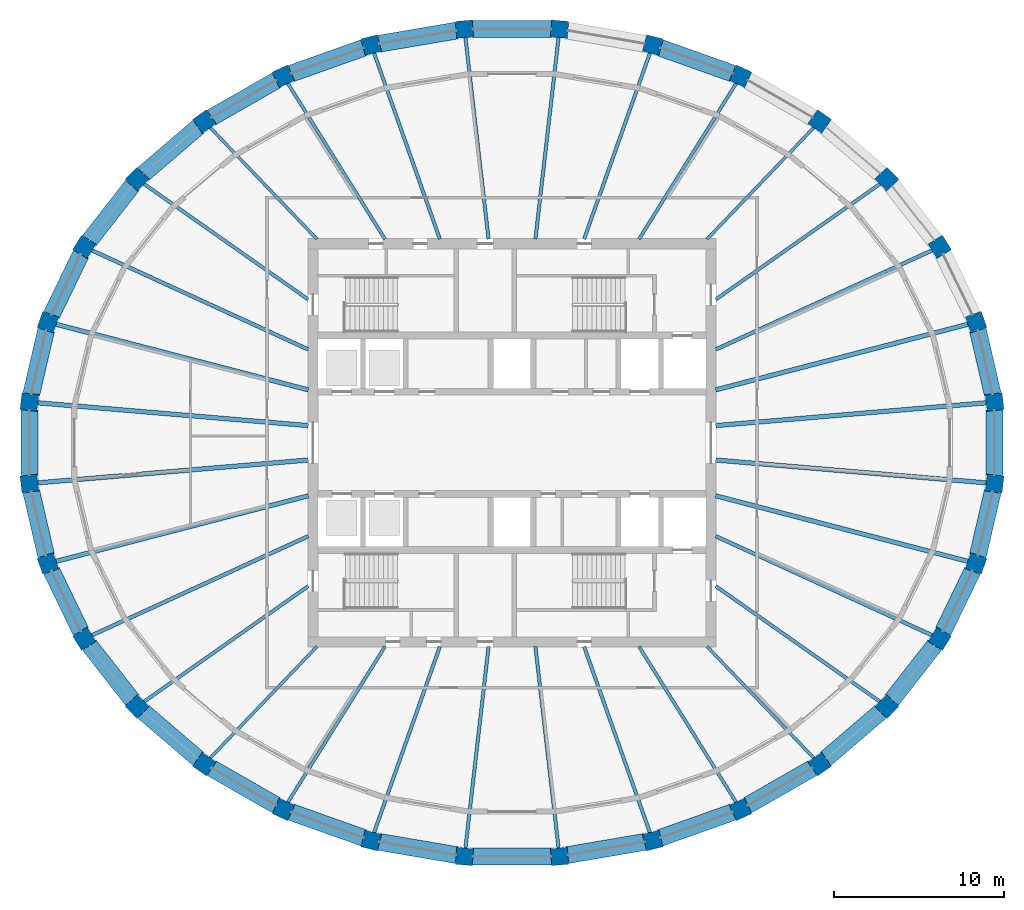
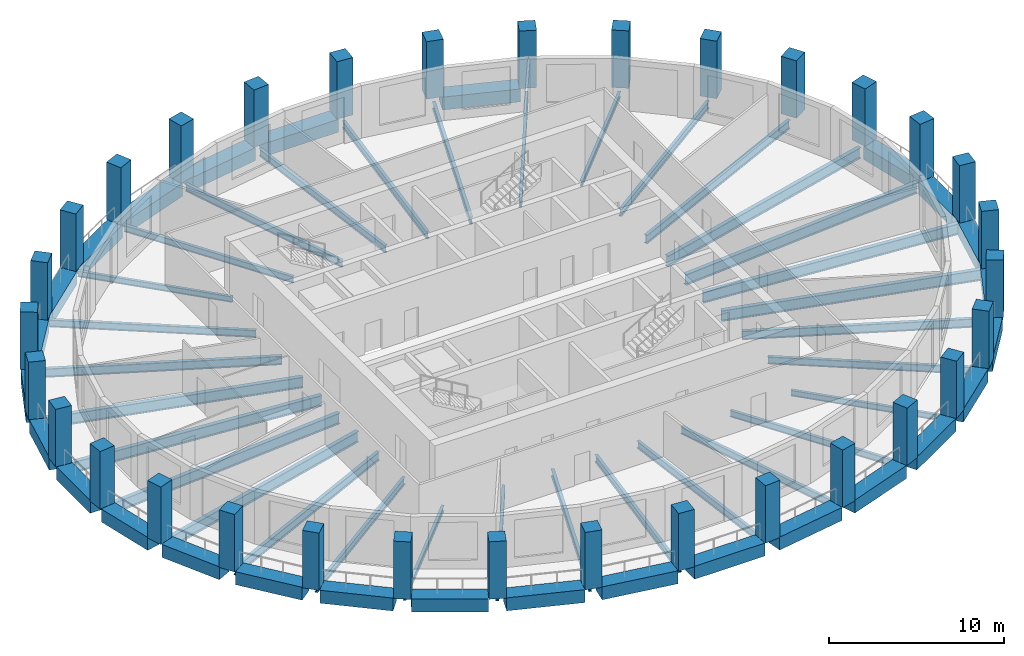
# One storey, part 1 of 10: 59 beams, 32 columns.
"""IFC4 building model written with IfcOpenShell, lengths in metres."""

from ifc_helpers import new_model, si_unit, direction, frame, origin, origin_2d, place, context, subcontext, project, spatial, rectangle, i_section, extrude, material, material_profile, profile_set, type_object, element, save


model = new_model("IFC4")

# Units and contexts
model_context = context("Model", 3, precision=1e-05, world=origin(), true_north=direction((0.0, 1.0)))
body_context = subcontext(model_context, "Body", "Model", "MODEL_VIEW")
ifc_project = project(units=[si_unit("LENGTHUNIT", "METRE"), si_unit("AREAUNIT", "SQUARE_METRE"), si_unit("VOLUMEUNIT", "CUBIC_METRE"), si_unit("PLANEANGLEUNIT", "RADIAN"), si_unit("MASSUNIT", "GRAM", prefix="KILO")], contexts=[model_context])

# Site, building, storey
site_placement = place(None, origin())
site = spatial("IfcSite", under=ifc_project, at=site_placement, CompositionType="ELEMENT")
building_placement = place(site_placement, origin())
building = spatial("IfcBuilding", under=site, at=building_placement, Name="Halqa Exchange Tower", CompositionType="ELEMENT")
storey_placement = place(building_placement, frame((0.0, 0.0, 324.300048828125)))
storey = spatial("IfcBuildingStorey", under=building, at=storey_placement, Name="L76", CompositionType="ELEMENT", Elevation=324.300048828125)

# Columns
ifc_material_1 = material(Name="Concrete C50/60", Category="concrete")
ifc_material_profile_1 = material_profile(ifc_material_1, rectangle(XDim=1.0, YDim=1.0, at=origin_2d()), Name="1000 x 1000")
ifc_profile_set_1 = profile_set([ifc_material_profile_1], Name="Concrete C50/60")
column_type = type_object("IfcColumnType", Name="RC ring column 1000 x 1000 C50/60", PredefinedType="COLUMN", material=ifc_profile_set_1)
for number, where, z_axis, x_axis, name in (
    (1, (28.36279296875, 2.394287109375, 0.0), (0.0, 0.0, 1.0), (-0.114160389816, 0.993462332148, 0.0), "Ring column 1"),
    (2, (27.272705078125, 7.09130859375, 0.0), (0.0, 0.0, 1.0), (-0.333624233576, 0.942706142321, 0.0), "Ring column 2"),
    (3, (25.134765625, 11.515625, 0.0), (0.0, 0.0, 1.0), (-0.529140496257, 0.848534227489, 0.0), "Ring column 3"),
    (4, (22.03076171875, 15.497314453125, 0.0), (0.0, 0.0, 1.0), (-0.691578612608, 0.722301199351, 0.0), "Ring column 4"),
    (5, (18.080078125, 18.883544921875, 0.0), (0.0, 0.0, 1.0), (-0.817906779671, 0.575350762377, 0.0), "Ring column 5"),
    (6, (13.434814453125, 21.544189453125, 0.0), (0.0, 0.0, 1.0), (-0.909128549752, 0.416515641994, 0.0), "Ring column 6"),
    (7, (8.273193359375, 23.376708984375, 0.0), (0.0, 0.0, 1.0), (-0.967819064366, 0.251647091481, 0.0), "Ring column 7"),
    (8, (2.79345703125, 24.31103515625, 0.0), (0.0, 0.0, 1.0), (-0.996455078514, 0.084126550533, 0.0), "Ring column 8"),
    (9, (-2.79345703125, 24.31103515625, 0.0), (0.0, 0.0, 1.0), (-0.996455078514, -0.084126550533, 0.0), "Ring column 9"),
    (10, (-8.273193359375, 23.376708984375, 0.0), (0.0, 0.0, 1.0), (-0.967819064366, -0.251647091481, 0.0), "Ring column 10"),
    (11, (-13.434814453125, 21.544189453125, 0.0), (0.0, 0.0, 1.0), (-0.909128549752, -0.416515641994, 0.0), "Ring column 11"),
    (12, (-18.080078125, 18.883544921875, 0.0), (0.0, 0.0, 1.0), (-0.817906779671, -0.575350762377, 0.0), "Ring column 12"),
    (13, (-22.03076171875, 15.497314453125, 0.0), (0.0, 0.0, 1.0), (-0.691578612608, -0.722301199351, 0.0), "Ring column 13"),
    (14, (-25.134765625, 11.515625, 0.0), (0.0, 0.0, 1.0), (-0.529140496257, -0.848534227489, 0.0), "Ring column 14"),
    (15, (-27.272705078125, 7.09130859375, 0.0), (0.0, 0.0, 1.0), (-0.333624233576, -0.942706142321, 0.0), "Ring column 15"),
    (16, (-28.36279296875, 2.394287109375, 0.0), (0.0, 0.0, 1.0), (-0.114160389816, -0.993462332148, 0.0), "Ring column 16"),
    (17, (-28.36279296875, -2.394287109375, 0.0), (0.0, 0.0, 1.0), (0.114160389816, -0.993462332148, 0.0), "Ring column 17"),
    (18, (-27.272705078125, -7.09130859375, 0.0), (0.0, 0.0, 1.0), (0.333624233576, -0.942706142321, 0.0), "Ring column 18"),
    (19, (-25.134765625, -11.515625, 0.0), (0.0, 0.0, 1.0), (0.529140496257, -0.848534227489, 0.0), "Ring column 19"),
    (20, (-22.03076171875, -15.497314453125, 0.0), (0.0, 0.0, 1.0), (0.691578612608, -0.722301199351, 0.0), "Ring column 20"),
    (21, (-18.080078125, -18.883544921875, 0.0), (0.0, 0.0, 1.0), (0.817906779671, -0.575350762377, 0.0), "Ring column 21"),
    (22, (-13.434814453125, -21.544189453125, 0.0), (0.0, 0.0, 1.0), (0.909128549752, -0.416515641994, 0.0), "Ring column 22"),
    (23, (-8.273193359375, -23.376708984375, 0.0), (0.0, 0.0, 1.0), (0.967819064366, -0.251647091481, 0.0), "Ring column 23"),
    (24, (-2.79345703125, -24.31103515625, 0.0), (0.0, 0.0, 1.0), (0.996455078514, -0.084126550533, 0.0), "Ring column 24"),
    (25, (2.79345703125, -24.31103515625, 0.0), (0.0, 0.0, 1.0), (0.996455078514, 0.084126550533, 0.0), "Ring column 25"),
    (26, (8.273193359375, -23.376708984375, 0.0), (0.0, 0.0, 1.0), (0.967819064366, 0.251647091481, 0.0), "Ring column 26"),
    (27, (13.434814453125, -21.544189453125, 0.0), (0.0, 0.0, 1.0), (0.909128549752, 0.416515641994, 0.0), "Ring column 27"),
    (28, (18.080078125, -18.883544921875, 0.0), (0.0, 0.0, 1.0), (0.817906779671, 0.575350762377, 0.0), "Ring column 28"),
    (29, (22.03076171875, -15.497314453125, 0.0), (0.0, 0.0, 1.0), (0.691578612608, 0.722301199351, 0.0), "Ring column 29"),
    (30, (25.134765625, -11.515625, 0.0), (0.0, 0.0, 1.0), (0.529140496257, 0.848534227489, 0.0), "Ring column 30"),
    (31, (27.272705078125, -7.09130859375, 0.0), (0.0, 0.0, 1.0), (0.333624233576, 0.942706142321, 0.0), "Ring column 31"),
    (32, (28.36279296875, -2.394287109375, 0.0), (0.0, 0.0, 1.0), (0.114160389816, 0.993462332148, 0.0), "Ring column 32"),
):
    element("IfcColumn", number, at=place(storey_placement, frame(where, z_axis=z_axis, x_axis=x_axis)), inside=storey, type_object=column_type, Name=name, PredefinedType="COLUMN", context=body_context, shape_type="SweptSolid", body=[
        extrude(rectangle(XDim=1.0, YDim=1.0, at=origin_2d()), origin(), (0.0, 0.0, 1.0), 4.0),
    ])

# Beams
ifc_material_2 = material(Name="Steel S355", Category="steel")
ifc_material_profile_2 = material_profile(ifc_material_2, i_section(OverallWidth=0.179931640625, OverallDepth=0.39990234375, WebThickness=0.008544921875, FlangeThickness=0.013427734375, FilletRadius=0.02099609375, at=origin_2d()), Name="IPE 400")
ifc_profile_set_2 = profile_set([ifc_material_profile_2], Name="Steel S355")
beam_type_1 = type_object("IfcBeamType", Name="Floor beam IPE 400", PredefinedType="BEAM", material=ifc_profile_set_2)
for number, where, z_axis, x_axis, name in (
    (33, (11.46240234375, 11.9716796875, -0.5), (0.691577100122, 0.722302647501, 0.0), (-0.722302647501, 0.691577100122, 0.0), "Radial beam 5"),
    (34, (-11.46240234375, 11.9716796875, -0.5), (-0.691577100122, 0.722302647501, 0.0), (-0.722302647501, -0.691577100122, 0.0), "Radial beam 12"),
    (35, (-11.46240234375, -11.9716796875, -0.5), (-0.691577100122, -0.722302647501, 0.0), (0.722302647501, -0.691577100122, 0.0), "Radial beam 21"),
    (36, (11.46240234375, -11.9716796875, -0.5), (0.691577100122, -0.722302647501, 0.0), (0.722302647501, 0.691577100122, 0.0), "Radial beam 28"),
):
    element("IfcBeam", number, at=place(storey_placement, frame(where, z_axis=z_axis, x_axis=x_axis)), inside=storey, type_object=beam_type_1, Name=name, PredefinedType="BEAM", context=body_context, shape_type="SweptSolid", body=[
        extrude(i_section(OverallWidth=0.179931640625, OverallDepth=0.39990234375, WebThickness=0.008544921875, FlangeThickness=0.013427734375, FilletRadius=0.02099609375, at=origin_2d()), origin(), (0.0, 0.0, 1.0), 9.193359375),
    ])
ifc_material_profile_3 = material_profile(ifc_material_2, i_section(OverallWidth=0.18994140625, OverallDepth=0.449951171875, WebThickness=0.009521484375, FlangeThickness=0.0146484375, FilletRadius=0.02099609375, at=origin_2d()), Name="IPE 450")
ifc_profile_set_3 = profile_set([ifc_material_profile_3], Name="Steel S355")
beam_type_2 = type_object("IfcBeamType", Name="Floor beam IPE 450", PredefinedType="BEAM", material=ifc_profile_set_3)
for number, where, z_axis, x_axis, name in (
    (37, (7.46630859375, 11.972900390625, -0.525146484375), (0.529135242535, 0.848537503654, 0.0), (-0.848537503654, 0.529135242535, 0.0), "Radial beam 6"),
    (38, (-7.46630859375, 11.972900390625, -0.525146484375), (-0.529135242535, 0.848537503654, 0.0), (-0.848537503654, -0.529135242535, 0.0), "Radial beam 11"),
    (39, (-7.46630859375, -11.972900390625, -0.525146484375), (-0.529135242535, -0.848537503654, 0.0), (0.848537503654, -0.529135242535, 0.0), "Radial beam 22"),
    (40, (7.46630859375, -11.972900390625, -0.525146484375), (0.529135242535, -0.848537503654, 0.0), (0.848537503654, 0.529135242535, 0.0), "Radial beam 27"),
):
    element("IfcBeam", number, at=place(storey_placement, frame(where, z_axis=z_axis, x_axis=x_axis)), inside=storey, type_object=beam_type_2, Name=name, PredefinedType="BEAM", context=body_context, shape_type="SweptSolid", body=[
        extrude(i_section(OverallWidth=0.18994140625, OverallDepth=0.449951171875, WebThickness=0.009521484375, FlangeThickness=0.0146484375, FilletRadius=0.02099609375, at=origin_2d()), origin(), (0.0, 0.0, 1.0), 10.90380859375),
    ])
ifc_material_profile_4 = material_profile(ifc_material_2, i_section(OverallWidth=0.199951171875, OverallDepth=0.5, WebThickness=0.01025390625, FlangeThickness=0.01611328125, FilletRadius=0.02099609375, at=origin_2d()), Name="IPE 500")
ifc_profile_set_4 = profile_set([ifc_material_profile_4], Name="Steel S355")
beam_type_3 = type_object("IfcBeamType", Name="Floor beam IPE 500", PredefinedType="BEAM", material=ifc_profile_set_4)
beam_1_placement = place(storey_placement, frame((11.971435546875, 8.421142578125, -0.550048828125), z_axis=(0.817909915289, 0.575346304822, 0.0), x_axis=(-0.575346304822, 0.817909915289, 0.0)))
element("IfcBeam", 41, at=beam_1_placement, inside=storey, type_object=beam_type_3, Name="Radial beam 4", PredefinedType="BEAM", context=body_context, shape_type="SweptSolid", body=[
    extrude(i_section(OverallWidth=0.199951171875, OverallDepth=0.5, WebThickness=0.01025390625, FlangeThickness=0.01611328125, FilletRadius=0.02099609375, at=origin_2d()), origin(), (0.0, 0.0, 1.0), 11.923095703125),
])
beam_2_placement = place(storey_placement, frame((4.237060546875, 11.97216796875, -0.550048828125), z_axis=(0.333610824629, 0.942710887648, 0.0), x_axis=(-0.942710887648, 0.333610824629, 0.0)))
element("IfcBeam", 42, at=beam_2_placement, inside=storey, type_object=beam_type_3, Name="Radial beam 7", PredefinedType="BEAM", context=body_context, shape_type="SweptSolid", body=[
    extrude(i_section(OverallWidth=0.199951171875, OverallDepth=0.5, WebThickness=0.01025390625, FlangeThickness=0.01611328125, FilletRadius=0.02099609375, at=origin_2d()), origin(), (0.0, 0.0, 1.0), 11.7236328125),
])
for number, where, z_axis, x_axis, name in (
    (43, (1.37548828125, 11.97119140625, -0.550048828125), (0.114158031936, 0.993462603093, 0.0), (-0.993462603093, 0.114158031936, 0.0), "Radial beam 8"),
    (44, (-1.37548828125, 11.97119140625, -0.550048828125), (-0.114158031936, 0.993462603093, 0.0), (-0.993462603093, -0.114158031936, 0.0), "Radial beam 9"),
):
    element("IfcBeam", number, at=place(storey_placement, frame(where, z_axis=z_axis, x_axis=x_axis)), inside=storey, type_object=beam_type_3, Name=name, PredefinedType="BEAM", context=body_context, shape_type="SweptSolid", body=[
        extrude(i_section(OverallWidth=0.199951171875, OverallDepth=0.5, WebThickness=0.01025390625, FlangeThickness=0.01611328125, FilletRadius=0.02099609375, at=origin_2d()), origin(), (0.0, 0.0, 1.0), 12.049072265625),
    ])
beam_3_placement = place(storey_placement, frame((-4.237060546875, 11.97216796875, -0.550048828125), z_axis=(-0.333610824629, 0.942710887648, 0.0), x_axis=(-0.942710887648, -0.333610824629, 0.0)))
element("IfcBeam", 45, at=beam_3_placement, inside=storey, type_object=beam_type_3, Name="Radial beam 10", PredefinedType="BEAM", context=body_context, shape_type="SweptSolid", body=[
    extrude(i_section(OverallWidth=0.199951171875, OverallDepth=0.5, WebThickness=0.01025390625, FlangeThickness=0.01611328125, FilletRadius=0.02099609375, at=origin_2d()), origin(), (0.0, 0.0, 1.0), 11.7236328125),
])
for number, where, z_axis, x_axis, name in (
    (46, (-11.971435546875, 8.421142578125, -0.550048828125), (-0.817909915289, 0.575346304822, 0.0), (-0.575346304822, -0.817909915289, 0.0), "Radial beam 13"),
    (47, (-11.971435546875, -8.421142578125, -0.550048828125), (-0.817909915289, -0.575346304822, 0.0), (0.575346304822, -0.817909915289, 0.0), "Radial beam 20"),
):
    element("IfcBeam", number, at=place(storey_placement, frame(where, z_axis=z_axis, x_axis=x_axis)), inside=storey, type_object=beam_type_3, Name=name, PredefinedType="BEAM", context=body_context, shape_type="SweptSolid", body=[
        extrude(i_section(OverallWidth=0.199951171875, OverallDepth=0.5, WebThickness=0.01025390625, FlangeThickness=0.01611328125, FilletRadius=0.02099609375, at=origin_2d()), origin(), (0.0, 0.0, 1.0), 11.923095703125),
    ])
beam_4_placement = place(storey_placement, frame((-4.237060546875, -11.97216796875, -0.550048828125), z_axis=(-0.333610824629, -0.942710887648, 0.0), x_axis=(0.942710887648, -0.333610824629, 0.0)))
element("IfcBeam", 48, at=beam_4_placement, inside=storey, type_object=beam_type_3, Name="Radial beam 23", PredefinedType="BEAM", context=body_context, shape_type="SweptSolid", body=[
    extrude(i_section(OverallWidth=0.199951171875, OverallDepth=0.5, WebThickness=0.01025390625, FlangeThickness=0.01611328125, FilletRadius=0.02099609375, at=origin_2d()), origin(), (0.0, 0.0, 1.0), 11.7236328125),
])
for number, where, z_axis, x_axis, name in (
    (49, (-1.37548828125, -11.97119140625, -0.550048828125), (-0.114158031936, -0.993462603093, 0.0), (0.993462603093, -0.114158031936, 0.0), "Radial beam 24"),
    (50, (1.37548828125, -11.97119140625, -0.550048828125), (0.114158031936, -0.993462603093, 0.0), (0.993462603093, 0.114158031936, 0.0), "Radial beam 25"),
):
    element("IfcBeam", number, at=place(storey_placement, frame(where, z_axis=z_axis, x_axis=x_axis)), inside=storey, type_object=beam_type_3, Name=name, PredefinedType="BEAM", context=body_context, shape_type="SweptSolid", body=[
        extrude(i_section(OverallWidth=0.199951171875, OverallDepth=0.5, WebThickness=0.01025390625, FlangeThickness=0.01611328125, FilletRadius=0.02099609375, at=origin_2d()), origin(), (0.0, 0.0, 1.0), 12.049072265625),
    ])
beam_5_placement = place(storey_placement, frame((4.237060546875, -11.97216796875, -0.550048828125), z_axis=(0.333610824629, -0.942710887648, 0.0), x_axis=(0.942710887648, 0.333610824629, 0.0)))
element("IfcBeam", 51, at=beam_5_placement, inside=storey, type_object=beam_type_3, Name="Radial beam 26", PredefinedType="BEAM", context=body_context, shape_type="SweptSolid", body=[
    extrude(i_section(OverallWidth=0.199951171875, OverallDepth=0.5, WebThickness=0.01025390625, FlangeThickness=0.01611328125, FilletRadius=0.02099609375, at=origin_2d()), origin(), (0.0, 0.0, 1.0), 11.7236328125),
])
beam_6_placement = place(storey_placement, frame((11.971435546875, -8.421142578125, -0.550048828125), z_axis=(0.817909915289, -0.575346304822, 0.0), x_axis=(0.575346304822, 0.817909915289, 0.0)))
element("IfcBeam", 52, at=beam_6_placement, inside=storey, type_object=beam_type_3, Name="Radial beam 29", PredefinedType="BEAM", context=body_context, shape_type="SweptSolid", body=[
    extrude(i_section(OverallWidth=0.199951171875, OverallDepth=0.5, WebThickness=0.01025390625, FlangeThickness=0.01611328125, FilletRadius=0.02099609375, at=origin_2d()), origin(), (0.0, 0.0, 1.0), 11.923095703125),
])
ifc_material_profile_5 = material_profile(ifc_material_2, i_section(OverallWidth=0.219970703125, OverallDepth=0.60009765625, WebThickness=0.011962890625, FlangeThickness=0.01904296875, FilletRadius=0.02392578125, at=origin_2d()), Name="IPE 600")
ifc_profile_set_5 = profile_set([ifc_material_profile_5], Name="Steel S355")
beam_type_4 = type_object("IfcBeamType", Name="Floor beam IPE 600", PredefinedType="BEAM", material=ifc_profile_set_5)
for number, where, z_axis, x_axis, name in (
    (53, (11.97216796875, 5.485107421875, -0.60009765625), (0.909129837919, 0.416512830302, 0.0), (-0.416512830302, 0.909129837919, 0.0), "Radial beam 3"),
    (54, (-11.97216796875, 5.485107421875, -0.60009765625), (-0.909129837919, 0.416512830302, 0.0), (-0.416512830302, -0.909129837919, 0.0), "Radial beam 14"),
    (55, (-11.97216796875, -5.485107421875, -0.60009765625), (-0.909129837919, -0.416512830302, 0.0), (0.416512830302, -0.909129837919, 0.0), "Radial beam 19"),
    (56, (11.97216796875, -5.485107421875, -0.60009765625), (0.909129837919, -0.416512830302, 0.0), (0.416512830302, 0.909129837919, 0.0), "Radial beam 30"),
):
    element("IfcBeam", number, at=place(storey_placement, frame(where, z_axis=z_axis, x_axis=x_axis)), inside=storey, type_object=beam_type_4, Name=name, PredefinedType="BEAM", context=body_context, shape_type="SweptSolid", body=[
        extrude(i_section(OverallWidth=0.219970703125, OverallDepth=0.60009765625, WebThickness=0.011962890625, FlangeThickness=0.01904296875, FilletRadius=0.02392578125, at=origin_2d()), origin(), (0.0, 0.0, 1.0), 14.102294921875),
    ])
ifc_material_profile_6 = material_profile(ifc_material_2, i_section(OverallWidth=0.264892578125, OverallDepth=0.7529296875, WebThickness=0.01318359375, FlangeThickness=0.01708984375, FilletRadius=0.01708984375, at=origin_2d()), Name="IPE 750x147")
ifc_profile_set_6 = profile_set([ifc_material_profile_6], Name="Steel S355")
beam_type_5 = type_object("IfcBeamType", Name="Floor beam IPE 750x147", PredefinedType="BEAM", material=ifc_profile_set_6)
beam_7_placement = place(storey_placement, frame((11.972900390625, 1.0107421875, -0.676513671875), z_axis=(0.996455843657, 0.08411748713, 0.0), x_axis=(-0.08411748713, 0.996455843657, 0.0)))
element("IfcBeam", 57, at=beam_7_placement, inside=storey, type_object=beam_type_5, Name="Radial beam 1", PredefinedType="BEAM", context=body_context, shape_type="SweptSolid", body=[
    extrude(i_section(OverallWidth=0.264892578125, OverallDepth=0.7529296875, WebThickness=0.01318359375, FlangeThickness=0.01708984375, FilletRadius=0.01708984375, at=origin_2d()), origin(), (0.0, 0.0, 1.0), 16.076171875),
])
for number, where, z_axis, x_axis, name in (
    (58, (11.97265625, 3.113037109375, -0.676513671875), (0.967821042963, 0.251639481794, 0.0), (-0.251639481794, 0.967821042963, 0.0), "Radial beam 2"),
    (59, (-11.97265625, 3.113037109375, -0.676513671875), (-0.967821042963, 0.251639481794, 0.0), (-0.251639481794, -0.967821042963, 0.0), "Radial beam 15"),
):
    element("IfcBeam", number, at=place(storey_placement, frame(where, z_axis=z_axis, x_axis=x_axis)), inside=storey, type_object=beam_type_5, Name=name, PredefinedType="BEAM", context=body_context, shape_type="SweptSolid", body=[
        extrude(i_section(OverallWidth=0.264892578125, OverallDepth=0.7529296875, WebThickness=0.01318359375, FlangeThickness=0.01708984375, FilletRadius=0.01708984375, at=origin_2d()), origin(), (0.0, 0.0, 1.0), 15.434814453125),
    ])
for number, where, z_axis, x_axis, name in (
    (60, (-11.972900390625, 1.0107421875, -0.676513671875), (-0.996455843657, 0.08411748713, 0.0), (-0.08411748713, -0.996455843657, 0.0), "Radial beam 16"),
    (61, (-11.972900390625, -1.0107421875, -0.676513671875), (-0.996455843657, -0.08411748713, 0.0), (0.08411748713, -0.996455843657, 0.0), "Radial beam 17"),
):
    element("IfcBeam", number, at=place(storey_placement, frame(where, z_axis=z_axis, x_axis=x_axis)), inside=storey, type_object=beam_type_5, Name=name, PredefinedType="BEAM", context=body_context, shape_type="SweptSolid", body=[
        extrude(i_section(OverallWidth=0.264892578125, OverallDepth=0.7529296875, WebThickness=0.01318359375, FlangeThickness=0.01708984375, FilletRadius=0.01708984375, at=origin_2d()), origin(), (0.0, 0.0, 1.0), 16.076171875),
    ])
for number, where, z_axis, x_axis, name in (
    (62, (-11.97265625, -3.113037109375, -0.676513671875), (-0.967821042963, -0.251639481794, 0.0), (0.251639481794, -0.967821042963, 0.0), "Radial beam 18"),
    (63, (11.97265625, -3.113037109375, -0.676513671875), (0.967821042963, -0.251639481794, 0.0), (0.251639481794, 0.967821042963, 0.0), "Radial beam 31"),
):
    element("IfcBeam", number, at=place(storey_placement, frame(where, z_axis=z_axis, x_axis=x_axis)), inside=storey, type_object=beam_type_5, Name=name, PredefinedType="BEAM", context=body_context, shape_type="SweptSolid", body=[
        extrude(i_section(OverallWidth=0.264892578125, OverallDepth=0.7529296875, WebThickness=0.01318359375, FlangeThickness=0.01708984375, FilletRadius=0.01708984375, at=origin_2d()), origin(), (0.0, 0.0, 1.0), 15.434814453125),
    ])
beam_8_placement = place(storey_placement, frame((11.972900390625, -1.0107421875, -0.676513671875), z_axis=(0.996455843657, -0.08411748713, 0.0), x_axis=(0.08411748713, 0.996455843657, 0.0)))
element("IfcBeam", 64, at=beam_8_placement, inside=storey, type_object=beam_type_5, Name="Radial beam 32", PredefinedType="BEAM", context=body_context, shape_type="SweptSolid", body=[
    extrude(i_section(OverallWidth=0.264892578125, OverallDepth=0.7529296875, WebThickness=0.01318359375, FlangeThickness=0.01708984375, FilletRadius=0.01708984375, at=origin_2d()), origin(), (0.0, 0.0, 1.0), 16.076171875),
])
ifc_material_3 = material(Name="Concrete C60/75", Category="concrete")
ifc_material_profile_7 = material_profile(ifc_material_3, rectangle(XDim=1.0, YDim=0.89990234375, at=origin_2d()), Name="1000 x 900")
ifc_profile_set_7 = profile_set([ifc_material_profile_7], Name="Concrete C60/75")
beam_type_6 = type_object("IfcBeamType", Name="RC spandrel beam 1000 x 900 C60/75", PredefinedType="SPANDREL", material=ifc_profile_set_7)
beam_9_placement = place(storey_placement, frame((28.25537109375, 2.857177734375, -0.449951171875), z_axis=(-0.226093384766, 0.974105631523, 0.0), x_axis=(-0.974105631523, -0.226093384766, 0.0)))
element("IfcBeam", 65, at=beam_9_placement, inside=storey, type_object=beam_type_6, Name="Spandrel 1", PredefinedType="SPANDREL", context=body_context, shape_type="SweptSolid", body=[
    extrude(rectangle(XDim=1.0, YDim=0.89990234375, at=origin_2d()), origin(), (0.0, 0.0, 1.0), 3.872314453125),
])
beam_10_placement = place(storey_placement, frame((12.98828125, 21.70263671875, -0.449951171875), z_axis=(-0.94236088808, 0.334598201755, 0.0), x_axis=(-0.334598201755, -0.94236088808, 0.0)))
element("IfcBeam", 66, at=beam_10_placement, inside=storey, type_object=beam_type_6, Name="Spandrel 6", PredefinedType="SPANDREL", context=body_context, shape_type="SweptSolid", body=[
    extrude(rectangle(XDim=1.0, YDim=0.89990234375, at=origin_2d()), origin(), (0.0, 0.0, 1.0), 4.530517578125),
])
beam_11_placement = place(storey_placement, frame((2.319580078125, 24.31103515625, -0.449951171875), z_axis=(-1.0, 0.0, 0.0), x_axis=(0.0, -1.0, 0.0)))
element("IfcBeam", 67, at=beam_11_placement, inside=storey, type_object=beam_type_6, Name="Spandrel 8", PredefinedType="SPANDREL", context=body_context, shape_type="SweptSolid", body=[
    extrude(rectangle(XDim=1.0, YDim=0.89990234375, at=origin_2d()), origin(), (0.0, 0.0, 1.0), 4.63916015625),
])
beam_12_placement = place(storey_placement, frame((-3.2607421875, 24.231201171875, -0.449951171875), z_axis=(-0.985773042695, -0.168081849987, 0.0), x_axis=(0.168081849987, -0.985773042695, 0.0)))
element("IfcBeam", 68, at=beam_12_placement, inside=storey, type_object=beam_type_6, Name="Spandrel 9", PredefinedType="SPANDREL", context=body_context, shape_type="SweptSolid", body=[
    extrude(rectangle(XDim=1.0, YDim=0.89990234375, at=origin_2d()), origin(), (0.0, 0.0, 1.0), 4.6103515625),
])
beam_13_placement = place(storey_placement, frame((-8.718994140625, 23.218505859375, -0.449951171875), z_axis=(-0.94236088808, -0.334598201755, 0.0), x_axis=(0.334598201755, -0.94236088808, 0.0)))
element("IfcBeam", 69, at=beam_13_placement, inside=storey, type_object=beam_type_6, Name="Spandrel 10", PredefinedType="SPANDREL", context=body_context, shape_type="SweptSolid", body=[
    extrude(rectangle(XDim=1.0, YDim=0.89990234375, at=origin_2d()), origin(), (0.0, 0.0, 1.0), 4.530517578125),
])
beam_14_placement = place(storey_placement, frame((-13.8466796875, 21.30810546875, -0.449951171875), z_axis=(-0.86778573249, -0.49693855001, 0.0), x_axis=(0.49693855001, -0.86778573249, 0.0)))
element("IfcBeam", 70, at=beam_14_placement, inside=storey, type_object=beam_type_6, Name="Spandrel 11", PredefinedType="SPANDREL", context=body_context, shape_type="SweptSolid", body=[
    extrude(rectangle(XDim=1.0, YDim=0.89990234375, at=origin_2d()), origin(), (0.0, 0.0, 1.0), 4.40478515625),
])
beam_15_placement = place(storey_placement, frame((-18.44091796875, 18.574462890625, -0.449951171875), z_axis=(-0.759232294843, -0.65081973116, 0.0), x_axis=(0.65081973116, -0.759232294843, 0.0)))
element("IfcBeam", 71, at=beam_15_placement, inside=storey, type_object=beam_type_6, Name="Spandrel 12", PredefinedType="SPANDREL", context=body_context, shape_type="SweptSolid", body=[
    extrude(rectangle(XDim=1.0, YDim=0.89990234375, at=origin_2d()), origin(), (0.0, 0.0, 1.0), 4.25390625),
])
beam_16_placement = place(storey_placement, frame((-22.322021484375, 15.123779296875, -0.449951171875), z_axis=(-0.61480594236, -0.788678421943, 0.0), x_axis=(0.788678421943, -0.61480594236, 0.0)))
element("IfcBeam", 72, at=beam_16_placement, inside=storey, type_object=beam_type_6, Name="Spandrel 13", PredefinedType="SPANDREL", context=body_context, shape_type="SweptSolid", body=[
    extrude(rectangle(XDim=1.0, YDim=0.89990234375, at=origin_2d()), origin(), (0.0, 0.0, 1.0), 4.10009765625),
])
beam_17_placement = place(storey_placement, frame((-25.34130859375, 11.088623046875, -0.449951171875), z_axis=(-0.43505216676, -0.900405248873, 0.0), x_axis=(0.900405248873, -0.43505216676, 0.0)))
element("IfcBeam", 73, at=beam_17_placement, inside=storey, type_object=beam_type_6, Name="Spandrel 14", PredefinedType="SPANDREL", context=body_context, shape_type="SweptSolid", body=[
    extrude(rectangle(XDim=1.0, YDim=0.89990234375, at=origin_2d()), origin(), (0.0, 0.0, 1.0), 3.964111328125),
])
beam_18_placement = place(storey_placement, frame((-27.3798828125, 6.629150390625, -0.449951171875), z_axis=(-0.226093384766, -0.974105631523, 0.0), x_axis=(0.974105631523, -0.226093384766, 0.0)))
element("IfcBeam", 74, at=beam_18_placement, inside=storey, type_object=beam_type_6, Name="Spandrel 15", PredefinedType="SPANDREL", context=body_context, shape_type="SweptSolid", body=[
    extrude(rectangle(XDim=1.0, YDim=0.89990234375, at=origin_2d()), origin(), (0.0, 0.0, 1.0), 3.872314453125),
])
beam_19_placement = place(storey_placement, frame((-28.36279296875, 1.919189453125, -0.449951171875), z_axis=(0.0, -1.0, 0.0), x_axis=(1.0, 0.0, 0.0)))
element("IfcBeam", 75, at=beam_19_placement, inside=storey, type_object=beam_type_6, Name="Spandrel 16", PredefinedType="SPANDREL", context=body_context, shape_type="SweptSolid", body=[
    extrude(rectangle(XDim=1.0, YDim=0.89990234375, at=origin_2d()), origin(), (0.0, 0.0, 1.0), 3.83837890625),
])
beam_20_placement = place(storey_placement, frame((-28.25537109375, -2.857177734375, -0.449951171875), z_axis=(0.226093384766, -0.974105631523, 0.0), x_axis=(0.974105631523, 0.226093384766, 0.0)))
element("IfcBeam", 76, at=beam_20_placement, inside=storey, type_object=beam_type_6, Name="Spandrel 17", PredefinedType="SPANDREL", context=body_context, shape_type="SweptSolid", body=[
    extrude(rectangle(XDim=1.0, YDim=0.89990234375, at=origin_2d()), origin(), (0.0, 0.0, 1.0), 3.872314453125),
])
beam_21_placement = place(storey_placement, frame((-27.06591796875, -7.519287109375, -0.449951171875), z_axis=(0.43505216676, -0.900405248873, 0.0), x_axis=(0.900405248873, 0.43505216676, 0.0)))
element("IfcBeam", 77, at=beam_21_placement, inside=storey, type_object=beam_type_6, Name="Spandrel 18", PredefinedType="SPANDREL", context=body_context, shape_type="SweptSolid", body=[
    extrude(rectangle(XDim=1.0, YDim=0.89990234375, at=origin_2d()), origin(), (0.0, 0.0, 1.0), 3.964111328125),
])
beam_22_placement = place(storey_placement, frame((-24.8427734375, -11.89013671875, -0.449951171875), z_axis=(0.61480594236, -0.788678421943, 0.0), x_axis=(0.788678421943, 0.61480594236, 0.0)))
element("IfcBeam", 78, at=beam_22_placement, inside=storey, type_object=beam_type_6, Name="Spandrel 19", PredefinedType="SPANDREL", context=body_context, shape_type="SweptSolid", body=[
    extrude(rectangle(XDim=1.0, YDim=0.89990234375, at=origin_2d()), origin(), (0.0, 0.0, 1.0), 4.10009765625),
])
beam_23_placement = place(storey_placement, frame((-21.670654296875, -15.805908203125, -0.449951171875), z_axis=(0.759232294843, -0.65081973116, 0.0), x_axis=(0.65081973116, 0.759232294843, 0.0)))
element("IfcBeam", 79, at=beam_23_placement, inside=storey, type_object=beam_type_6, Name="Spandrel 20", PredefinedType="SPANDREL", context=body_context, shape_type="SweptSolid", body=[
    extrude(rectangle(XDim=1.0, YDim=0.89990234375, at=origin_2d()), origin(), (0.0, 0.0, 1.0), 4.25390625),
])
beam_24_placement = place(storey_placement, frame((-17.669189453125, -19.119140625, -0.449951171875), z_axis=(0.86778573249, -0.49693855001, 0.0), x_axis=(0.49693855001, 0.86778573249, 0.0)))
element("IfcBeam", 80, at=beam_24_placement, inside=storey, type_object=beam_type_6, Name="Spandrel 21", PredefinedType="SPANDREL", context=body_context, shape_type="SweptSolid", body=[
    extrude(rectangle(XDim=1.0, YDim=0.89990234375, at=origin_2d()), origin(), (0.0, 0.0, 1.0), 4.40478515625),
])
beam_25_placement = place(storey_placement, frame((-12.98828125, -21.70263671875, -0.449951171875), z_axis=(0.94236088808, -0.334598201755, 0.0), x_axis=(0.334598201755, 0.94236088808, 0.0)))
element("IfcBeam", 81, at=beam_25_placement, inside=storey, type_object=beam_type_6, Name="Spandrel 22", PredefinedType="SPANDREL", context=body_context, shape_type="SweptSolid", body=[
    extrude(rectangle(XDim=1.0, YDim=0.89990234375, at=origin_2d()), origin(), (0.0, 0.0, 1.0), 4.530517578125),
])
beam_26_placement = place(storey_placement, frame((-7.805419921875, -23.456298828125, -0.449951171875), z_axis=(0.985773042695, -0.168081849987, 0.0), x_axis=(0.168081849987, 0.985773042695, 0.0)))
element("IfcBeam", 82, at=beam_26_placement, inside=storey, type_object=beam_type_6, Name="Spandrel 23", PredefinedType="SPANDREL", context=body_context, shape_type="SweptSolid", body=[
    extrude(rectangle(XDim=1.0, YDim=0.89990234375, at=origin_2d()), origin(), (0.0, 0.0, 1.0), 4.6103515625),
])
beam_27_placement = place(storey_placement, frame((-2.319580078125, -24.31103515625, -0.449951171875), z_axis=(1.0, 0.0, 0.0), x_axis=(0.0, 1.0, 0.0)))
element("IfcBeam", 83, at=beam_27_placement, inside=storey, type_object=beam_type_6, Name="Spandrel 24", PredefinedType="SPANDREL", context=body_context, shape_type="SweptSolid", body=[
    extrude(rectangle(XDim=1.0, YDim=0.89990234375, at=origin_2d()), origin(), (0.0, 0.0, 1.0), 4.63916015625),
])
beam_28_placement = place(storey_placement, frame((3.2607421875, -24.231201171875, -0.449951171875), z_axis=(0.985773042695, 0.168081849987, 0.0), x_axis=(-0.168081849987, 0.985773042695, 0.0)))
element("IfcBeam", 84, at=beam_28_placement, inside=storey, type_object=beam_type_6, Name="Spandrel 25", PredefinedType="SPANDREL", context=body_context, shape_type="SweptSolid", body=[
    extrude(rectangle(XDim=1.0, YDim=0.89990234375, at=origin_2d()), origin(), (0.0, 0.0, 1.0), 4.6103515625),
])
beam_29_placement = place(storey_placement, frame((8.718994140625, -23.218505859375, -0.449951171875), z_axis=(0.94236088808, 0.334598201755, 0.0), x_axis=(-0.334598201755, 0.94236088808, 0.0)))
element("IfcBeam", 85, at=beam_29_placement, inside=storey, type_object=beam_type_6, Name="Spandrel 26", PredefinedType="SPANDREL", context=body_context, shape_type="SweptSolid", body=[
    extrude(rectangle(XDim=1.0, YDim=0.89990234375, at=origin_2d()), origin(), (0.0, 0.0, 1.0), 4.530517578125),
])
beam_30_placement = place(storey_placement, frame((13.8466796875, -21.30810546875, -0.449951171875), z_axis=(0.86778573249, 0.49693855001, 0.0), x_axis=(-0.49693855001, 0.86778573249, 0.0)))
element("IfcBeam", 86, at=beam_30_placement, inside=storey, type_object=beam_type_6, Name="Spandrel 27", PredefinedType="SPANDREL", context=body_context, shape_type="SweptSolid", body=[
    extrude(rectangle(XDim=1.0, YDim=0.89990234375, at=origin_2d()), origin(), (0.0, 0.0, 1.0), 4.40478515625),
])
beam_31_placement = place(storey_placement, frame((18.44091796875, -18.574462890625, -0.449951171875), z_axis=(0.759232294843, 0.65081973116, 0.0), x_axis=(-0.65081973116, 0.759232294843, 0.0)))
element("IfcBeam", 87, at=beam_31_placement, inside=storey, type_object=beam_type_6, Name="Spandrel 28", PredefinedType="SPANDREL", context=body_context, shape_type="SweptSolid", body=[
    extrude(rectangle(XDim=1.0, YDim=0.89990234375, at=origin_2d()), origin(), (0.0, 0.0, 1.0), 4.25390625),
])
beam_32_placement = place(storey_placement, frame((22.322021484375, -15.123779296875, -0.449951171875), z_axis=(0.61480594236, 0.788678421943, 0.0), x_axis=(-0.788678421943, 0.61480594236, 0.0)))
element("IfcBeam", 88, at=beam_32_placement, inside=storey, type_object=beam_type_6, Name="Spandrel 29", PredefinedType="SPANDREL", context=body_context, shape_type="SweptSolid", body=[
    extrude(rectangle(XDim=1.0, YDim=0.89990234375, at=origin_2d()), origin(), (0.0, 0.0, 1.0), 4.10009765625),
])
beam_33_placement = place(storey_placement, frame((25.34130859375, -11.088623046875, -0.449951171875), z_axis=(0.43505216676, 0.900405248873, 0.0), x_axis=(-0.900405248873, 0.43505216676, 0.0)))
element("IfcBeam", 89, at=beam_33_placement, inside=storey, type_object=beam_type_6, Name="Spandrel 30", PredefinedType="SPANDREL", context=body_context, shape_type="SweptSolid", body=[
    extrude(rectangle(XDim=1.0, YDim=0.89990234375, at=origin_2d()), origin(), (0.0, 0.0, 1.0), 3.964111328125),
])
beam_34_placement = place(storey_placement, frame((27.3798828125, -6.629150390625, -0.449951171875), z_axis=(0.226093384766, 0.974105631523, 0.0), x_axis=(-0.974105631523, 0.226093384766, 0.0)))
element("IfcBeam", 90, at=beam_34_placement, inside=storey, type_object=beam_type_6, Name="Spandrel 31", PredefinedType="SPANDREL", context=body_context, shape_type="SweptSolid", body=[
    extrude(rectangle(XDim=1.0, YDim=0.89990234375, at=origin_2d()), origin(), (0.0, 0.0, 1.0), 3.872314453125),
])
beam_35_placement = place(storey_placement, frame((28.36279296875, -1.919189453125, -0.449951171875), z_axis=(0.0, 1.0, 0.0), x_axis=(-1.0, 0.0, 0.0)))
element("IfcBeam", 91, at=beam_35_placement, inside=storey, type_object=beam_type_6, Name="Spandrel 32", PredefinedType="SPANDREL", context=body_context, shape_type="SweptSolid", body=[
    extrude(rectangle(XDim=1.0, YDim=0.89990234375, at=origin_2d()), origin(), (0.0, 0.0, 1.0), 3.83837890625),
])

save(model, "model.ifc")
